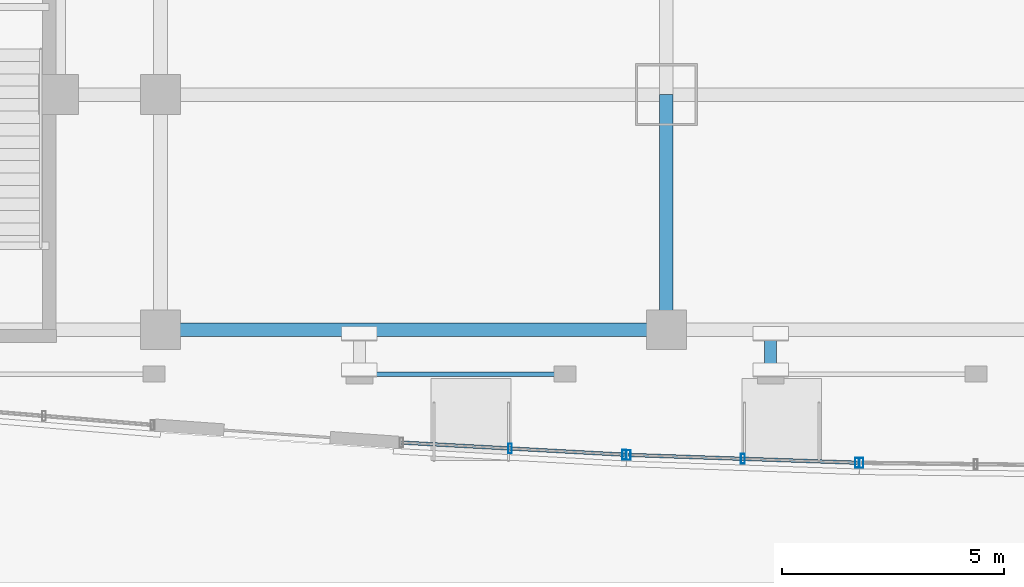
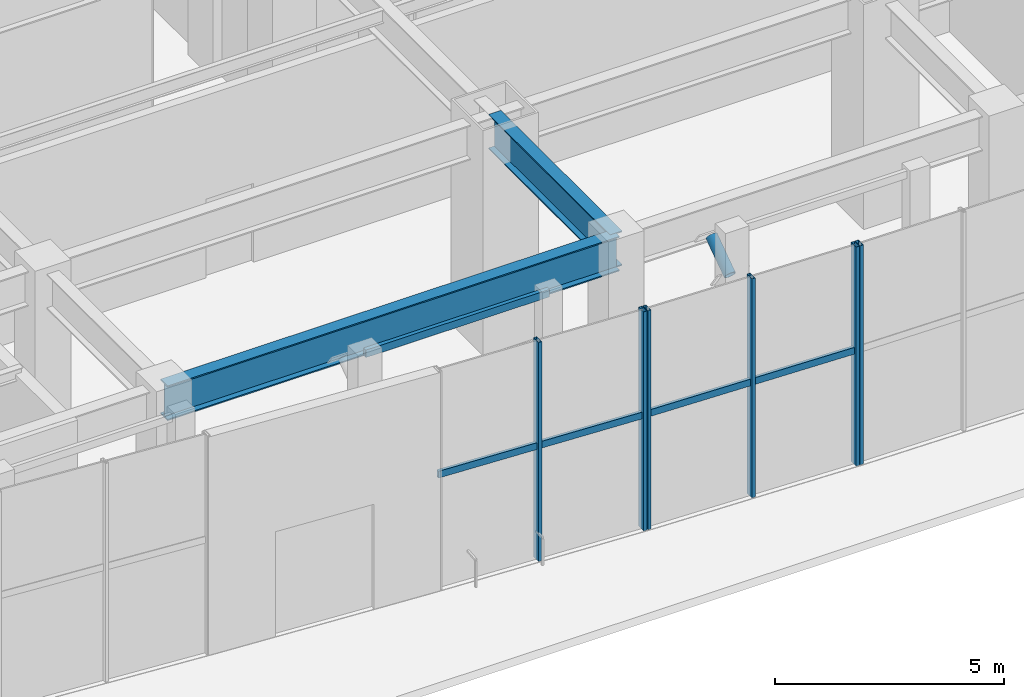
# One storey, part 4 of 23: 10 members, 2 beams, 3 elements without a shape of their own.
"""IFC4 building model written with IfcOpenShell, lengths in metres."""

from ifc_helpers import new_model, si_unit, direction, frame, origin, origin_2d, place, context, subcontext, project, spatial, hollow_rectangle, hollow_circle, i_section, extrude, material, layer, layer_set, material_profile, profile_set, type_object, element, aggregate, save


model = new_model("IFC4")

# Units and contexts
model_context = context("Model", 3, precision=1e-05, world=origin(), true_north=direction((0.0, 1.0)))
body_context = subcontext(model_context, "Body", "Model", "MODEL_VIEW")
ifc_project = project(units=[si_unit("LENGTHUNIT", "METRE"), si_unit("AREAUNIT", "SQUARE_METRE"), si_unit("VOLUMEUNIT", "CUBIC_METRE"), si_unit("PLANEANGLEUNIT", "RADIAN"), si_unit("MASSUNIT", "GRAM", prefix="KILO")], contexts=[model_context])

# Site, building, storey
site_placement = place(None, origin())
site = spatial("IfcSite", under=ifc_project, at=site_placement, CompositionType="ELEMENT")
building_placement = place(site_placement, origin())
building = spatial("IfcBuilding", under=site, at=building_placement, Name="Vantalir Tower", CompositionType="ELEMENT")
storey_placement = place(building_placement, origin())
storey = spatial("IfcBuildingStorey", under=building, at=storey_placement, Name="L00", CompositionType="ELEMENT", Elevation=0.0)

# Beams
ifc_material_1 = material(Name="Steel S355", Category="steel")
ifc_material_profile_1 = material_profile(ifc_material_1, i_section(OverallWidth=0.30810546875, OverallDepth=0.927001953125, WebThickness=0.01953125, FlangeThickness=0.031982421875, at=origin_2d()), Name="Steel S355")
ifc_profile_set_1 = profile_set([ifc_material_profile_1], Name="Steel S355")
beam_type = type_object("IfcBeamType", Name="BM-PG-914x305", PredefinedType="USERDEFINED", material=ifc_profile_set_1)
beam_1_placement = place(storey_placement, frame((10.5, 3.199951171875, 5.35693359375), z_axis=(1.0, 0.0, 0.0), x_axis=(0.0, 1.0, 0.0)))
element("IfcBeam", 1, at=beam_1_placement, inside=storey, type_object=beam_type, Name="L00 Podium E-W Girder 02", ObjectType="GIRDER", PredefinedType="USERDEFINED", context=body_context, shape_type="SweptSolid", body=[
    extrude(i_section(OverallWidth=0.30810546875, OverallDepth=0.927001953125, WebThickness=0.01953125, FlangeThickness=0.031982421875, at=origin_2d()), origin(), (0.0, 0.0, 1.0), 11.39990234375),
])
beam_2_placement = place(storey_placement, frame((21.89990234375, 3.199951171875, 5.35693359375), z_axis=(0.0, 1.0, 0.0), x_axis=(-1.0, 0.0, 0.0)))
element("IfcBeam", 2, at=beam_2_placement, inside=storey, type_object=beam_type, Name="L00 Podium N-S Girder 56", ObjectType="GIRDER", PredefinedType="USERDEFINED", context=body_context, shape_type="SweptSolid", body=[
    extrude(i_section(OverallWidth=0.30810546875, OverallDepth=0.927001953125, WebThickness=0.01953125, FlangeThickness=0.031982421875, at=origin_2d()), origin(), (0.0, 0.0, 1.0), 5.300048828125),
])

# Curtain wall, members
ifc_material_2 = material(Name="Champagne-silver PVDF aluminium and double-silver Low-E glass", Category="aluminium")
ifc_layer = layer(ifc_material_2, 0.239990234375)
ifc_layer_set = layer_set([ifc_layer], Name="Champagne-silver PVDF aluminium and double-silver Low-E glass")
curtain_wall_type = type_object("IfcCurtainWallType", Name="CW-PODIUM-WF", PredefinedType="USERDEFINED", material=ifc_layer_set)
curtain_wall_1_placement = place(storey_placement, origin())
curtain_wall_1 = element("IfcCurtainWall", 3, at=curtain_wall_1_placement, inside=storey, type_object=curtain_wall_type, Name="L00 Waterfront Stick Curtain Wall 04", ObjectType="STICK CURTAIN WALL", PredefinedType="USERDEFINED")
ifc_material_3 = material(Name="Champagne-silver PVDF aluminium 6063-T6", Category="aluminium")
ifc_material_profile_2 = material_profile(ifc_material_3, hollow_rectangle(XDim=0.0849609375, YDim=0.219970703125, WallThickness=0.0048828125, at=origin_2d()), Name="Champagne-silver PVDF aluminium 6063-T6")
ifc_profile_set_2 = profile_set([ifc_material_profile_2], Name="Champagne-silver PVDF aluminium 6063-T6")
member_type_1 = type_object("IfcMemberType", Name="CWM-220x85", PredefinedType="MULLION", material=ifc_profile_set_2)
member_1_placement = place(storey_placement, frame((18.375, 0.52392578125, -0.011962890625), z_axis=(0.0, 0.0, 1.0), x_axis=(1.0, 0.0, 0.0)))
member_1 = element("IfcMember", 4, at=member_1_placement, type_object=member_type_1, Name="CW-L00-WF-04 Mullion 2", PredefinedType="MULLION", context=body_context, shape_type="SweptSolid", body=[
    extrude(hollow_rectangle(XDim=0.0849609375, YDim=0.219970703125, WallThickness=0.0048828125, at=origin_2d()), origin(), (0.0, 0.0, 1.0), 5.843994140625),
])
member_2_placement = place(storey_placement, frame((20.949951171875, 0.384033203125, -0.011962890625), z_axis=(0.0, 0.0, 1.0), x_axis=(1.0, 0.0, 0.0)))
member_2 = element("IfcMember", 5, at=member_2_placement, type_object=member_type_1, Name="CW-L00-WF-04 Mullion 3", PredefinedType="MULLION", context=body_context, shape_type="SweptSolid", body=[
    extrude(hollow_rectangle(XDim=0.0849609375, YDim=0.219970703125, WallThickness=0.0048828125, at=origin_2d()), origin(), (0.0, 0.0, 1.0), 5.843994140625),
])

curtain_wall_2_placement = place(storey_placement, origin())
curtain_wall_2 = element("IfcCurtainWall", 6, at=curtain_wall_2_placement, inside=storey, type_object=curtain_wall_type, Name="L00 Waterfront Stick Curtain Wall 05", ObjectType="STICK CURTAIN WALL", PredefinedType="USERDEFINED")
member_3_placement = place(storey_placement, frame((21.050048828125, 0.37890625, -0.011962890625), z_axis=(0.0, 0.0, 1.0), x_axis=(1.0, 0.0, 0.0)))
member_3 = element("IfcMember", 7, at=member_3_placement, type_object=member_type_1, Name="CW-L00-WF-05 Mullion 1", PredefinedType="MULLION", context=body_context, shape_type="SweptSolid", body=[
    extrude(hollow_rectangle(XDim=0.0849609375, YDim=0.219970703125, WallThickness=0.0048828125, at=origin_2d()), origin(), (0.0, 0.0, 1.0), 5.843994140625),
])
member_4_placement = place(storey_placement, frame((23.625, 0.291015625, -0.011962890625), z_axis=(0.0, 0.0, 1.0), x_axis=(1.0, 0.0, 0.0)))
member_4 = element("IfcMember", 8, at=member_4_placement, type_object=member_type_1, Name="CW-L00-WF-05 Mullion 2", PredefinedType="MULLION", context=body_context, shape_type="SweptSolid", body=[
    extrude(hollow_rectangle(XDim=0.0849609375, YDim=0.219970703125, WallThickness=0.0048828125, at=origin_2d()), origin(), (0.0, 0.0, 1.0), 5.843994140625),
])
member_5_placement = place(storey_placement, frame((26.199951171875, 0.202880859375, -0.011962890625), z_axis=(0.0, 0.0, 1.0), x_axis=(1.0, 0.0, 0.0)))
member_5 = element("IfcMember", 9, at=member_5_placement, type_object=member_type_1, Name="CW-L00-WF-05 Mullion 3", PredefinedType="MULLION", context=body_context, shape_type="SweptSolid", body=[
    extrude(hollow_rectangle(XDim=0.0849609375, YDim=0.219970703125, WallThickness=0.0048828125, at=origin_2d()), origin(), (0.0, 0.0, 1.0), 5.843994140625),
])

# Curtain wall, member
curtain_wall_3_placement = place(storey_placement, origin())
curtain_wall_3 = element("IfcCurtainWall", 10, at=curtain_wall_3_placement, inside=storey, type_object=curtain_wall_type, Name="L00 Waterfront Stick Curtain Wall 06", ObjectType="STICK CURTAIN WALL", PredefinedType="USERDEFINED")
member_6_placement = place(storey_placement, frame((26.300048828125, 0.199951171875, -0.011962890625), z_axis=(0.0, 0.0, 1.0), x_axis=(1.0, 0.0, 0.0)))
member_6 = element("IfcMember", 11, at=member_6_placement, type_object=member_type_1, Name="CW-L00-WF-06 Mullion 1", PredefinedType="MULLION", context=body_context, shape_type="SweptSolid", body=[
    extrude(hollow_rectangle(XDim=0.0849609375, YDim=0.219970703125, WallThickness=0.0048828125, at=origin_2d()), origin(), (0.0, 0.0, 1.0), 5.843994140625),
])
aggregate(curtain_wall_3, [member_6])

# Member
ifc_material_profile_3 = material_profile(ifc_material_3, hollow_rectangle(XDim=0.080078125, YDim=0.179931640625, WallThickness=0.0048828125, at=origin_2d()), Name="Champagne-silver PVDF aluminium 6063-T6")
ifc_profile_set_3 = profile_set([ifc_material_profile_3], Name="Champagne-silver PVDF aluminium 6063-T6")
member_type_2 = type_object("IfcMemberType", Name="CWT-180x80", PredefinedType="USERDEFINED", material=ifc_profile_set_3)
member_7_placement = place(storey_placement, frame((15.929931640625, 0.656982421875, 3.02587890625), z_axis=(0.998525104448, -0.054291949556, 0.0), x_axis=(0.054291949556, 0.998525104448, 0.0)))
member_7 = element("IfcMember", 12, at=member_7_placement, type_object=member_type_2, Name="CW-L00-WF-04 Transom 1", ObjectType="TRANSOM", PredefinedType="USERDEFINED", context=body_context, shape_type="SweptSolid", body=[
    extrude(hollow_rectangle(XDim=0.080078125, YDim=0.179931640625, WallThickness=0.0048828125, at=origin_2d()), origin(), (0.0, 0.0, 1.0), 5.02734375),
])

aggregate(curtain_wall_1, [member_1, member_2, member_7])

member_8_placement = place(storey_placement, frame((21.050048828125, 0.37890625, 3.02587890625), z_axis=(0.999416363673, -0.034160386755, 0.0), x_axis=(0.034160386755, 0.999416363673, 0.0)))
member_8 = element("IfcMember", 13, at=member_8_placement, type_object=member_type_2, Name="CW-L00-WF-05 Transom 1", ObjectType="TRANSOM", PredefinedType="USERDEFINED", context=body_context, shape_type="SweptSolid", body=[
    extrude(hollow_rectangle(XDim=0.080078125, YDim=0.179931640625, WallThickness=0.0048828125, at=origin_2d()), origin(), (0.0, 0.0, 1.0), 5.15283203125),
])

aggregate(curtain_wall_2, [member_3, member_4, member_5, member_8])

# Members
ifc_material_profile_4 = material_profile(ifc_material_1, hollow_rectangle(XDim=0.10009765625, YDim=0.199951171875, WallThickness=0.008056640625, at=origin_2d()), Name="Steel S355")
ifc_profile_set_4 = profile_set([ifc_material_profile_4], Name="Steel S355")
member_type_3 = type_object("IfcMemberType", Name="MEM-PR-200x100", PredefinedType="PURLIN", material=ifc_profile_set_4)
member_9_placement = place(storey_placement, frame((14.98291015625, 2.199951171875, 5.64990234375), z_axis=(1.0, 0.0, 0.0), x_axis=(0.0, 1.0, 0.0)))
element("IfcMember", 14, at=member_9_placement, inside=storey, type_object=member_type_3, Name="L00 Waterfront Canopy Colonnade Tie 02", PredefinedType="PURLIN", context=body_context, shape_type="SweptSolid", body=[
    extrude(hollow_rectangle(XDim=0.10009765625, YDim=0.199951171875, WallThickness=0.008056640625, at=origin_2d()), origin(), (0.0, 0.0, 1.0), 4.634033203125),
])
ifc_material_profile_5 = material_profile(ifc_material_1, hollow_circle(Radius=0.136474609375, WallThickness=0.01611328125, at=origin_2d()), Name="Steel S355")
ifc_profile_set_5 = profile_set([ifc_material_profile_5], Name="Steel S355")
member_type_4 = type_object("IfcMemberType", Name="MEM-ST-273x16", PredefinedType="STRUT", material=ifc_profile_set_5)
member_10_placement = place(storey_placement, frame((24.25, 2.298095703125, 4.4189453125), z_axis=(0.0, 0.81959423401, 0.572944405311), x_axis=(-1.0, 0.0, 0.0)))
element("IfcMember", 15, at=member_10_placement, inside=storey, type_object=member_type_4, Name="L00 Waterfront Canopy Strut 03", PredefinedType="STRUT", context=body_context, shape_type="SweptSolid", body=[
    extrude(hollow_circle(Radius=0.136474609375, WallThickness=0.01611328125, at=origin_2d()), origin(), (0.0, 0.0, 1.0), 0.98095703125),
])

save(model, "model.ifc")
